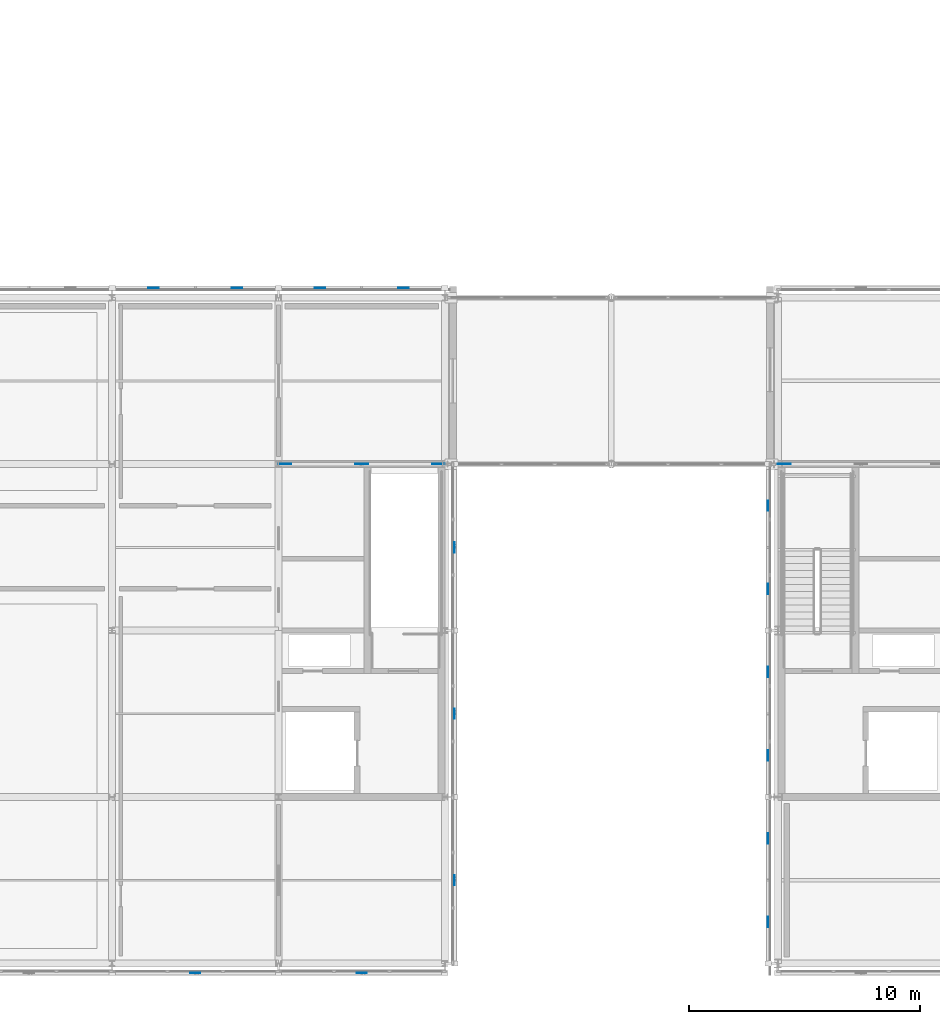
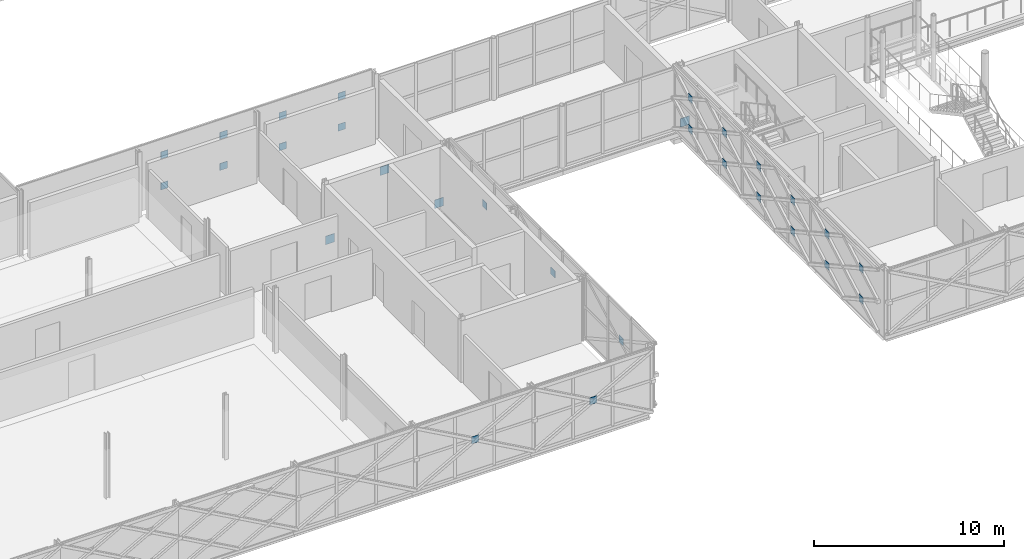
# One storey, part 84 of 126: 29 plates.
"""IFC4 building model written with IfcOpenShell, lengths in metres."""

from ifc_helpers import new_model, si_unit, direction, frame, origin, origin_2d, place, context, subcontext, project, spatial, rectangle, extrude, material, layer, layer_set, type_object, element, save


model = new_model("IFC4")

# Units and contexts
model_context = context("Model", 3, precision=1e-05, world=origin(), true_north=direction((0.0, 1.0)))
body_context = subcontext(model_context, "Body", "Model", "MODEL_VIEW")
ifc_project = project(units=[si_unit("LENGTHUNIT", "METRE"), si_unit("AREAUNIT", "SQUARE_METRE"), si_unit("VOLUMEUNIT", "CUBIC_METRE"), si_unit("PLANEANGLEUNIT", "RADIAN"), si_unit("MASSUNIT", "GRAM", prefix="KILO")], contexts=[model_context])

# Site, building, storey
site_placement = place(None, origin())
site = spatial("IfcSite", under=ifc_project, at=site_placement, CompositionType="ELEMENT")
building_placement = place(site_placement, origin())
building = spatial("IfcBuilding", under=site, at=building_placement, Name="Zlatovets Crest Museum", CompositionType="ELEMENT")
storey_placement = place(building_placement, frame((0.0, 0.0, 8.699951171875)))
storey = spatial("IfcBuildingStorey", under=building, at=storey_placement, Name="L02", CompositionType="ELEMENT", Elevation=8.699951171875)

# Plates
ifc_material = material(Name="Structural steel S355J2", Category="steel")
ifc_layer_1 = layer(ifc_material, 0.02490234375)
ifc_layer_set_1 = layer_set([ifc_layer_1], Name="Structural steel S355J2")
plate_type_1 = type_object("IfcPlateType", Name="Gusset_GP-01", PredefinedType="USERDEFINED", material=ifc_layer_set_1)
for number, where, z_axis, x_axis, name in (
    (1, (57.8798828125, 21.60009765625, 0.0048828125), (0.0, 0.0, 1.0), (1.0, 0.0, 0.0), "V2 L02 Brace End Gusset Plate GP-01"),
    (2, (36.280029296875, 21.60009765625, 0.0048828125), (0.0, 0.0, 1.0), (1.0, 0.0, 0.0), "V3 L02 Brace End Gusset Plate GP-01"),
    (3, (42.919921875, 21.60009765625, 0.0048828125), (0.0, 0.0, 1.0), (1.0, 0.0, 0.0), "V3 L02 Brace End Gusset Plate GP-01"),
    (4, (39.60009765625, 21.60009765625, 3.294921875), (0.0, 0.0, 1.0), (1.0, 0.0, 0.0), "V3 L02 Brace End Gusset Plate GP-01"),
):
    element("IfcPlate", number, at=place(storey_placement, frame(where, z_axis=z_axis, x_axis=x_axis)), inside=storey, type_object=plate_type_1, Name=name, ObjectType="GUSSET", PredefinedType="USERDEFINED", context=body_context, shape_type="SweptSolid", body=[
        extrude(rectangle(XDim=0.550048828125, YDim=0.02490234375, at=origin_2d()), origin(), (0.0, 0.0, 1.0), 0.550048828125),
    ])
ifc_layer_2 = layer(ifc_material, 0.02001953125)
ifc_layer_set_2 = layer_set([ifc_layer_2], Name="Structural steel S355J2")
plate_type_2 = type_object("IfcPlateType", Name="Gusset_GP-04", PredefinedType="USERDEFINED", material=ifc_layer_set_2)
for number, where, z_axis, x_axis, name in (
    (5, (57.179931640625, 19.800048828125, 0.875), (0.0, 0.0, 1.0), (1.0, 0.0, 0.0), "X-Brace Crossing Node Gusset Plate GP-04"),
    (6, (57.179931640625, 16.199951171875, 0.875), (0.0, 0.0, 1.0), (1.0, 0.0, 0.0), "X-Brace Crossing Node Gusset Plate GP-04"),
    (7, (57.179931640625, 19.800048828125, 2.875), (0.0, 0.0, 1.0), (1.0, 0.0, 0.0), "X-Brace Crossing Node Gusset Plate GP-04"),
    (8, (57.179931640625, 16.199951171875, 2.875), (0.0, 0.0, 1.0), (1.0, 0.0, 0.0), "X-Brace Crossing Node Gusset Plate GP-04"),
    (9, (57.179931640625, 12.60009765625, 0.875), (0.0, 0.0, 1.0), (1.0, 0.0, 0.0), "X-Brace Crossing Node Gusset Plate GP-04"),
    (10, (57.179931640625, 9.0, 0.875), (0.0, 0.0, 1.0), (1.0, 0.0, 0.0), "X-Brace Crossing Node Gusset Plate GP-04"),
    (11, (57.179931640625, 12.60009765625, 2.875), (0.0, 0.0, 1.0), (1.0, 0.0, 0.0), "X-Brace Crossing Node Gusset Plate GP-04"),
    (12, (57.179931640625, 9.0, 2.875), (0.0, 0.0, 1.0), (1.0, 0.0, 0.0), "X-Brace Crossing Node Gusset Plate GP-04"),
    (13, (57.179931640625, 5.39990234375, 0.875), (0.0, 0.0, 1.0), (1.0, 0.0, 0.0), "X-Brace Crossing Node Gusset Plate GP-04"),
    (14, (57.179931640625, 1.800048828125, 0.875), (0.0, 0.0, 1.0), (1.0, 0.0, 0.0), "X-Brace Crossing Node Gusset Plate GP-04"),
    (15, (57.179931640625, 5.39990234375, 2.875), (0.0, 0.0, 1.0), (1.0, 0.0, 0.0), "X-Brace Crossing Node Gusset Plate GP-04"),
    (16, (57.179931640625, 1.800048828125, 2.875), (0.0, 0.0, 1.0), (1.0, 0.0, 0.0), "X-Brace Crossing Node Gusset Plate GP-04"),
):
    element("IfcPlate", number, at=place(storey_placement, frame(where, z_axis=z_axis, x_axis=x_axis)), inside=storey, type_object=plate_type_2, Name=name, ObjectType="GUSSET", PredefinedType="USERDEFINED", context=body_context, shape_type="SweptSolid", body=[
        extrude(rectangle(XDim=0.02001953125, YDim=0.449951171875, at=origin_2d()), origin(), (0.0, 0.0, 1.0), 0.449951171875),
    ])
for number, where, z_axis, x_axis, name in (
    (17, (32.39990234375, -0.419921875, 1.875), (0.0, 0.0, 1.0), (1.0, 0.0, 0.0), "X-Brace Crossing Node Gusset Plate GP-04"),
    (18, (39.60009765625, -0.419921875, 1.875), (0.0, 0.0, 1.0), (1.0, 0.0, 0.0), "X-Brace Crossing Node Gusset Plate GP-04"),
):
    element("IfcPlate", number, at=place(storey_placement, frame(where, z_axis=z_axis, x_axis=x_axis)), inside=storey, type_object=plate_type_2, Name=name, ObjectType="GUSSET", PredefinedType="USERDEFINED", context=body_context, shape_type="SweptSolid", body=[
        extrude(rectangle(XDim=0.449951171875, YDim=0.02001953125, at=origin_2d()), origin(), (0.0, 0.0, 1.0), 0.449951171875),
    ])
for number, where, z_axis, x_axis, name in (
    (19, (43.6201171875, 3.60009765625, 1.875), (0.0, 0.0, 1.0), (1.0, 0.0, 0.0), "X-Brace Crossing Node Gusset Plate GP-04"),
    (20, (43.6201171875, 10.800048828125, 1.875), (0.0, 0.0, 1.0), (1.0, 0.0, 0.0), "X-Brace Crossing Node Gusset Plate GP-04"),
    (21, (43.6201171875, 18.0, 1.875), (0.0, 0.0, 1.0), (1.0, 0.0, 0.0), "X-Brace Crossing Node Gusset Plate GP-04"),
):
    element("IfcPlate", number, at=place(storey_placement, frame(where, z_axis=z_axis, x_axis=x_axis)), inside=storey, type_object=plate_type_2, Name=name, ObjectType="GUSSET", PredefinedType="USERDEFINED", context=body_context, shape_type="SweptSolid", body=[
        extrude(rectangle(XDim=0.02001953125, YDim=0.449951171875, at=origin_2d()), origin(), (0.0, 0.0, 1.0), 0.449951171875),
    ])
for number, where, z_axis, x_axis, name in (
    (22, (41.39990234375, 29.219970703125, 0.875), (0.0, 0.0, 1.0), (1.0, 0.0, 0.0), "X-Brace Crossing Node Gusset Plate GP-04"),
    (23, (37.800048828125, 29.219970703125, 0.875), (0.0, 0.0, 1.0), (1.0, 0.0, 0.0), "X-Brace Crossing Node Gusset Plate GP-04"),
    (24, (41.39990234375, 29.219970703125, 2.875), (0.0, 0.0, 1.0), (1.0, 0.0, 0.0), "X-Brace Crossing Node Gusset Plate GP-04"),
    (25, (37.800048828125, 29.219970703125, 2.875), (0.0, 0.0, 1.0), (1.0, 0.0, 0.0), "X-Brace Crossing Node Gusset Plate GP-04"),
    (26, (34.199951171875, 29.219970703125, 0.875), (0.0, 0.0, 1.0), (1.0, 0.0, 0.0), "X-Brace Crossing Node Gusset Plate GP-04"),
    (27, (30.60009765625, 29.219970703125, 0.875), (0.0, 0.0, 1.0), (1.0, 0.0, 0.0), "X-Brace Crossing Node Gusset Plate GP-04"),
    (28, (34.199951171875, 29.219970703125, 2.875), (0.0, 0.0, 1.0), (1.0, 0.0, 0.0), "X-Brace Crossing Node Gusset Plate GP-04"),
    (29, (30.60009765625, 29.219970703125, 2.875), (0.0, 0.0, 1.0), (1.0, 0.0, 0.0), "X-Brace Crossing Node Gusset Plate GP-04"),
):
    element("IfcPlate", number, at=place(storey_placement, frame(where, z_axis=z_axis, x_axis=x_axis)), inside=storey, type_object=plate_type_2, Name=name, ObjectType="GUSSET", PredefinedType="USERDEFINED", context=body_context, shape_type="SweptSolid", body=[
        extrude(rectangle(XDim=0.449951171875, YDim=0.02001953125, at=origin_2d()), origin(), (0.0, 0.0, 1.0), 0.449951171875),
    ])

save(model, "model.ifc")
